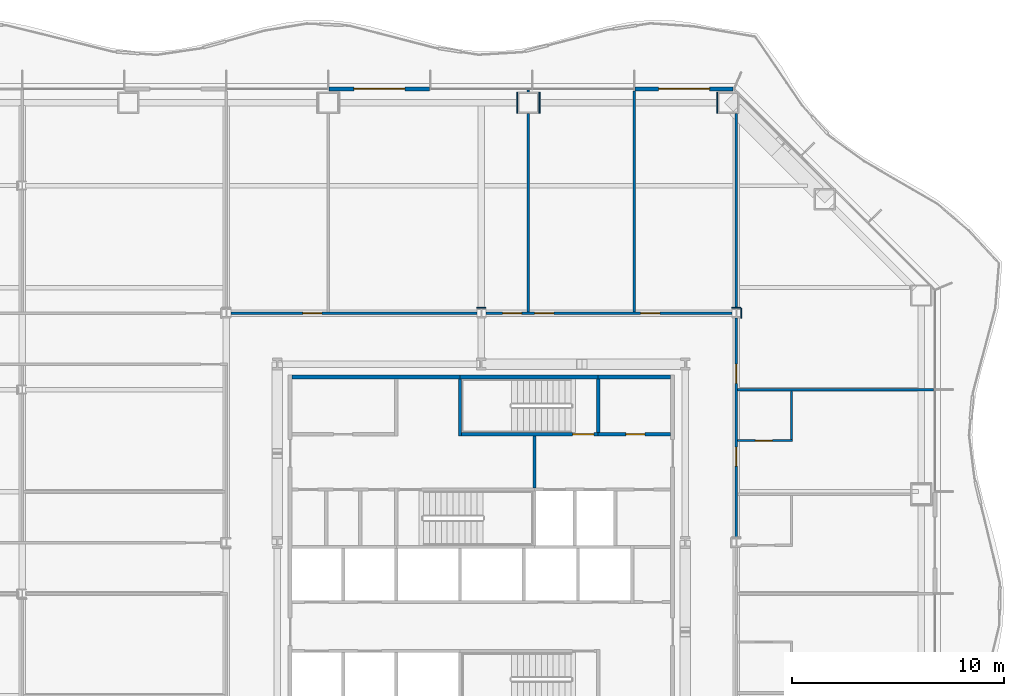
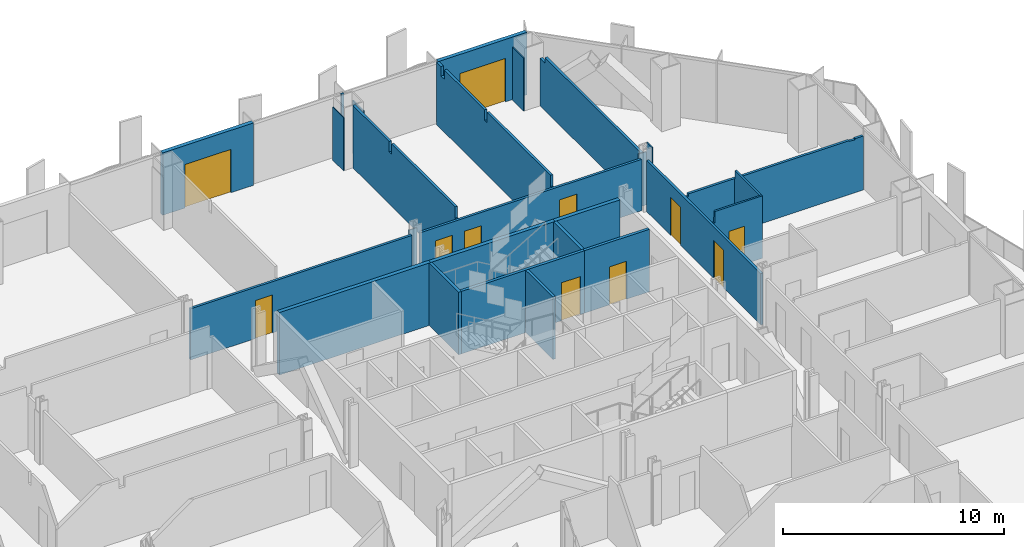
# One storey, part 13 of 21: 26 walls, 11 doors, 11 openings.
"""IFC4 building model written with IfcOpenShell, lengths in metres."""

from ifc_helpers import new_model, si_unit, direction, frame, frame_2d, origin, place, context, subcontext, project, spatial, polyline, rectangle, outline, extrude, material, layer, layer_set, type_object, element, fill, save


model = new_model("IFC4")

# Units and contexts
model_context = context("Model", 3, precision=1e-05, world=origin(), true_north=direction((0.0, 1.0)))
body_context = subcontext(model_context, "Body", "Model", "MODEL_VIEW")
ifc_project = project(units=[si_unit("LENGTHUNIT", "METRE"), si_unit("AREAUNIT", "SQUARE_METRE"), si_unit("VOLUMEUNIT", "CUBIC_METRE"), si_unit("PLANEANGLEUNIT", "RADIAN"), si_unit("MASSUNIT", "GRAM", prefix="KILO")], contexts=[model_context])

# Site, building, storey
site_placement = place(None, origin())
site = spatial("IfcSite", under=ifc_project, at=site_placement, CompositionType="ELEMENT")
building_placement = place(site_placement, origin())
building = spatial("IfcBuilding", under=site, at=building_placement, Name="Cairn Pilgrim Tower", CompositionType="ELEMENT")
storey_placement = place(building_placement, frame((0.0, 0.0, 47.39990234375)))
storey = spatial("IfcBuildingStorey", under=building, at=storey_placement, Name="L09", CompositionType="ELEMENT", Elevation=47.39990234375)

# Wall, opening, door
ifc_material_1 = material(Name="Bronze anodised aluminium insulated sandwich panel with mineral wool fill", Category="aluminium")
ifc_layer_1 = layer(ifc_material_1, 0.199951171875)
ifc_layer_set_1 = layer_set([ifc_layer_1], Name="BRONZE INFILL FRAME WALL 200")
wall_type_1 = type_object("IfcWallType", Name="BRONZE INFILL FRAME WALL 200", PredefinedType="NOTDEFINED", material=ifc_layer_set_1)
wall_1_placement = place(storey_placement, frame((19.056396484375, 23.75, 0.0), z_axis=(0.0, 0.0, 1.0), x_axis=(-1.0, 0.0, 0.0)))
wall_1 = element("IfcWall", 1, at=wall_1_placement, inside=storey, type_object=wall_type_1, Name="Bronze infill frame wall IW-N1", PredefinedType="NOTDEFINED", context=body_context, shape_type="SweptSolid", body=[
    extrude(rectangle(XDim=4.62646484375, YDim=0.199951171875, at=frame_2d((2.313232421875, 0.0))), origin(), (0.0, 0.0, 1.0), 3.4501953125),
])
opening_1_placement = place(wall_1_placement, frame((1.108154296875, 0.0, 0.0)))
opening_1 = element("IfcOpeningElement", 2, at=opening_1_placement, cuts=wall_1, Name="Opening 0920B", PredefinedType="OPENING", context=body_context, shape_type="SweptSolid", body=[
    extrude(rectangle(XDim=2.39990234375, YDim=2.39990234375, at=frame_2d((1.199951171875, 1.199951171875))), frame((0.0, 0.10986328125, 0.0), z_axis=(0.0, -1.0, 0.0), x_axis=(1.0, 0.0, 0.0)), (0.0, 0.0, 1.0), 0.219970703125),
])
ifc_material_2 = material(Name="Bronze anodised aluminium frame with tinted low-E glass", Category="aluminium")
door_type_1 = type_object("IfcDoorType", Name="BALCONY SLIDING DOOR 2400x2400", OperationType="DOUBLE_DOOR_SLIDING", PredefinedType="DOOR", material=ifc_material_2)
door_1_placement = place(opening_1_placement, origin())
door_1 = element("IfcDoor", 3, at=door_1_placement, inside=storey, type_object=door_type_1, Name="Balcony sliding door 0920B", OperationType="SINGLE_SWING_LEFT", OverallHeight=2.39990234375, OverallWidth=2.39990234375, PredefinedType="DOOR", context=body_context, shape_type="SweptSolid", body=[
    extrude(rectangle(XDim=2.39990234375, YDim=2.39990234375, at=frame_2d((1.199951171875, 1.199951171875))), frame((0.0, 0.02490234375, 0.0), z_axis=(0.0, -1.0, 0.0), x_axis=(1.0, 0.0, 0.0)), (0.0, 0.0, 1.0), 0.050048828125),
])
fill(opening_1, door_1)

wall_2_placement = place(storey_placement, frame((4.77001953125, 23.75, 0.0), z_axis=(0.0, 0.0, 1.0), x_axis=(-1.0, 0.0, 0.0)))
wall_2 = element("IfcWall", 4, at=wall_2_placement, inside=storey, type_object=wall_type_1, Name="Bronze infill frame wall IW-N4", PredefinedType="NOTDEFINED", context=body_context, shape_type="SweptSolid", body=[
    extrude(rectangle(XDim=4.739990234375, YDim=0.199951171875, at=frame_2d((2.3701171875, 0.0))), origin(), (0.0, 0.0, 1.0), 3.4501953125),
])
opening_2_placement = place(wall_2_placement, frame((1.169921875, 0.0, 0.0)))
opening_2 = element("IfcOpeningElement", 5, at=opening_2_placement, cuts=wall_2, Name="Opening 0918B", PredefinedType="OPENING", context=body_context, shape_type="SweptSolid", body=[
    extrude(rectangle(XDim=2.39990234375, YDim=2.39990234375, at=frame_2d((1.199951171875, 1.199951171875))), frame((0.0, 0.10986328125, 0.0), z_axis=(0.0, -1.0, 0.0), x_axis=(1.0, 0.0, 0.0)), (0.0, 0.0, 1.0), 0.219970703125),
])
door_2_placement = place(opening_2_placement, origin())
door_2 = element("IfcDoor", 6, at=door_2_placement, inside=storey, type_object=door_type_1, Name="Balcony sliding door 0918B", OperationType="SINGLE_SWING_LEFT", OverallHeight=2.39990234375, OverallWidth=2.39990234375, PredefinedType="DOOR", context=body_context, shape_type="SweptSolid", body=[
    extrude(rectangle(XDim=2.39990234375, YDim=2.39990234375, at=frame_2d((1.199951171875, 1.199951171875))), frame((0.0, 0.02490234375, 0.0), z_axis=(0.0, -1.0, 0.0), x_axis=(1.0, 0.0, 0.0)), (0.0, 0.0, 1.0), 0.050048828125),
])
fill(opening_2, door_2)

# Walls
ifc_material_3 = material(Name="Concrete C32/40", Category="concrete")
ifc_layer_2 = layer(ifc_material_3, 0.199951171875)
ifc_layer_set_2 = layer_set([ifc_layer_2], Name="CORE OUTER WALL 200 EI 120")
wall_type_2 = type_object("IfcWallType", Name="CORE OUTER WALL 200 EI 120", PredefinedType="SOLIDWALL", material=ifc_layer_set_2)
wall_3_placement = place(storey_placement, frame((-1.699951171875, 10.199951171875, 0.0), z_axis=(0.0, 0.0, 1.0), x_axis=(1.0, 0.0, 0.0)))
element("IfcWall", 7, at=wall_3_placement, inside=storey, type_object=wall_type_2, Name="CW:L09:H11-1", PredefinedType="SOLIDWALL", context=body_context, shape_type="SweptSolid", body=[
    extrude(rectangle(XDim=7.89990234375, YDim=0.199951171875, at=frame_2d((3.949951171875, 0.0))), origin(), (0.0, 0.0, 1.0), 3.4501953125),
])
wall_4_placement = place(storey_placement, frame((12.699951171875, 10.199951171875, 0.0), z_axis=(0.0, 0.0, 1.0), x_axis=(1.0, 0.0, 0.0)))
element("IfcWall", 8, at=wall_4_placement, inside=storey, type_object=wall_type_2, Name="CW:L09:H11-3", PredefinedType="SOLIDWALL", context=body_context, shape_type="SweptSolid", body=[
    extrude(rectangle(XDim=3.400146484375, YDim=0.199951171875, at=frame_2d((1.7001953125, 0.0))), origin(), (0.0, 0.0, 1.0), 3.4501953125),
])

# Wall, opening, door
ifc_layer_3 = layer(ifc_material_3, 0.14990234375)
ifc_layer_set_3 = layer_set([ifc_layer_3], Name="CORE SHAFT WALL 150 EI 120")
wall_type_3 = type_object("IfcWallType", Name="CORE SHAFT WALL 150 EI 120", PredefinedType="SOLIDWALL", material=ifc_layer_set_3)
wall_5_placement = place(storey_placement, frame((12.699951171875, 7.5, 0.0), z_axis=(0.0, 0.0, 1.0), x_axis=(1.0, 0.0, 0.0)))
wall_5 = element("IfcWall", 9, at=wall_5_placement, inside=storey, type_object=wall_type_3, Name="CW:L09:H10-2", PredefinedType="SOLIDWALL", context=body_context, shape_type="SweptSolid", body=[
    extrude(rectangle(XDim=3.400146484375, YDim=0.14990234375, at=frame_2d((1.7001953125, 0.0))), origin(), (0.0, 0.0, 1.0), 3.4501953125),
])
opening_3_placement = place(wall_5_placement, frame((1.300048828125, 0.0, 0.0)))
opening_3 = element("IfcOpeningElement", 10, at=opening_3_placement, cuts=wall_5, Name="Opening RD-R4E", PredefinedType="OPENING", context=body_context, shape_type="SweptSolid", body=[
    extrude(rectangle(XDim=0.89990234375, YDim=2.10009765625, at=frame_2d((0.449951171875, 1.050048828125))), frame((0.0, 0.0849609375, 0.0), z_axis=(0.0, -1.0, 0.0), x_axis=(1.0, 0.0, 0.0)), (0.0, 0.0, 1.0), 0.169921875),
])
ifc_material_4 = material(Name="Painted steel", Category="steel")
door_type_2 = type_object("IfcDoorType", Name="SERVICE ROOM DOOR 900x2100", OperationType="SINGLE_SWING_LEFT", PredefinedType="DOOR", material=ifc_material_4)
door_3_placement = place(opening_3_placement, origin())
door_3 = element("IfcDoor", 11, at=door_3_placement, inside=storey, type_object=door_type_2, Name="RD-R4E", OperationType="SINGLE_SWING_LEFT", OverallHeight=2.10009765625, OverallWidth=0.89990234375, PredefinedType="DOOR", context=body_context, shape_type="SweptSolid", body=[
    extrude(rectangle(XDim=0.89990234375, YDim=2.10009765625, at=frame_2d((0.449951171875, 1.050048828125))), frame((0.0, 0.02490234375, 0.0), z_axis=(0.0, -1.0, 0.0), x_axis=(1.0, 0.0, 0.0)), (0.0, 0.0, 1.0), 0.050048828125),
])
fill(opening_3, door_3)

# Wall
wall_6_placement = place(storey_placement, frame((9.699951171875, 4.97509765625, 0.0), z_axis=(0.0, 0.0, 1.0), x_axis=(0.0, 1.0, 0.0)))
element("IfcWall", 12, at=wall_6_placement, inside=storey, type_object=wall_type_3, Name="CW:L09:V26", PredefinedType="SOLIDWALL", context=body_context, shape_type="SweptSolid", body=[
    extrude(rectangle(XDim=2.449951171875, YDim=0.14990234375, at=frame_2d((1.22509765625, 0.0))), origin(), (0.0, 0.0, 1.0), 3.4501953125),
])

# Wall, opening, door
ifc_material_5 = material(Name="Gypsum partition")
ifc_layer_4 = layer(ifc_material_5, 0.10009765625)
ifc_layer_set_4 = layer_set([ifc_layer_4], Name="PARTITION 100 DRYWALL")
wall_type_4 = type_object("IfcWallType", Name="PARTITION 100 DRYWALL", PredefinedType="PARTITIONING", material=ifc_layer_set_4)
wall_7_placement = place(storey_placement, frame((19.262451171875, 7.199951171875, 0.0), z_axis=(0.0, 0.0, 1.0), x_axis=(1.0, 0.0, 0.0)))
wall_7 = element("IfcWall", 13, at=wall_7_placement, inside=storey, type_object=wall_type_4, Name="PARTITION W069", PredefinedType="PARTITIONING", context=body_context, shape_type="SweptSolid", body=[
    extrude(outline(polyline([(0.0, 0.0), (2.587646484375, 0.0), (2.58740234375, 3.4501953125), (0.08740234375, 3.4501953125), (0.08544921875, 2.830078125), (0.0, 2.830078125), (0.0, 0.0)])), frame((0.0, 0.050048828125, 0.0), z_axis=(0.0, -1.0, 0.0), x_axis=(1.0, 0.0, 0.0)), (0.0, 0.0, 1.0), 0.10009765625),
])
opening_4_placement = place(wall_7_placement, frame((0.83740234375, 0.0, 0.0)))
opening_4 = element("IfcOpeningElement", 14, at=opening_4_placement, cuts=wall_7, Name="Opening 0925E", PredefinedType="OPENING", context=body_context, shape_type="SweptSolid", body=[
    extrude(rectangle(XDim=0.800048828125, YDim=2.10009765625, at=frame_2d((0.39990234375, 1.050048828125))), frame((0.0, 0.06005859375, 0.0), z_axis=(0.0, -1.0, 0.0), x_axis=(1.0, 0.0, 0.0)), (0.0, 0.0, 1.0), 0.1201171875),
])
ifc_material_6 = material(Name="Timber door leaf", Category="wood")
door_type_3 = type_object("IfcDoorType", Name="DOOR 800x2100", OperationType="NOTDEFINED", PredefinedType="DOOR", material=ifc_material_6)
door_4_placement = place(opening_4_placement, origin())
door_4 = element("IfcDoor", 15, at=door_4_placement, inside=storey, type_object=door_type_3, Name="DOOR 0925E", OperationType="SINGLE_SWING_RIGHT", OverallHeight=2.10009765625, OverallWidth=0.800048828125, PredefinedType="DOOR", context=body_context, shape_type="SweptSolid", body=[
    extrude(rectangle(XDim=0.800048828125, YDim=2.10009765625, at=frame_2d((0.39990234375, 1.050048828125))), frame((0.0, 0.02490234375, 0.0), z_axis=(0.0, -1.0, 0.0), x_axis=(1.0, 0.0, 0.0)), (0.0, 0.0, 1.0), 0.050048828125),
])
fill(opening_4, door_4)

# Wall
wall_8_placement = place(storey_placement, frame((21.800048828125, 7.25, 0.0), z_axis=(0.0, 0.0, 1.0), x_axis=(0.0, 1.0, 0.0)))
element("IfcWall", 16, at=wall_8_placement, inside=storey, type_object=wall_type_4, Name="PARTITION W070", PredefinedType="PARTITIONING", context=body_context, shape_type="SweptSolid", body=[
    extrude(outline(polyline([(0.0, 0.0), (2.28759765625, 0.0), (2.28759765625, 2.97998046875), (2.2548828125, 2.97998046875), (2.2529296875, 3.4501953125), (0.0, 3.4501953125), (0.0, 0.0)])), frame((0.0, 0.050048828125, 0.0), z_axis=(0.0, -1.0, 0.0), x_axis=(1.0, 0.0, 0.0)), (0.0, 0.0, 1.0), 0.10009765625),
])

# Wall, openings, doors
ifc_layer_5 = layer(ifc_material_5, 0.125)
ifc_layer_set_5 = layer_set([ifc_layer_5], Name="PARTITION 125 DRYWALL EI 60")
wall_type_5 = type_object("IfcWallType", Name="PARTITION 125 DRYWALL EI 60", PredefinedType="PARTITIONING", material=ifc_layer_set_5)
wall_9_placement = place(storey_placement, frame((19.199951171875, 2.636962890625, 0.0), z_axis=(0.0, 0.0, 1.0), x_axis=(0.0, 1.0, 0.0)))
wall_9 = element("IfcWall", 17, at=wall_9_placement, inside=storey, type_object=wall_type_5, Name="PARTITION W063", PredefinedType="PARTITIONING", context=body_context, shape_type="SweptSolid", body=[
    extrude(rectangle(XDim=10.325927734375, YDim=0.125, at=frame_2d((5.1630859375, 0.0))), origin(), (0.0, 0.0, 1.0), 2.830078125),
])
opening_5_placement = place(wall_9_placement, frame((3.363037109375, 0.0, 0.0)))
opening_5 = element("IfcOpeningElement", 18, at=opening_5_placement, cuts=wall_9, Name="Opening 0925", PredefinedType="OPENING", context=body_context, shape_type="SweptSolid", body=[
    extrude(rectangle(XDim=0.89990234375, YDim=2.10009765625, at=frame_2d((0.449951171875, 1.050048828125))), frame((0.0, 0.072509765625, 0.0), z_axis=(0.0, -1.0, 0.0), x_axis=(1.0, 0.0, 0.0)), (0.0, 0.0, 1.0), 0.14501953125),
])
opening_6_placement = place(wall_9_placement, frame((7.262939453125, 0.0, 0.0)))
opening_6 = element("IfcOpeningElement", 19, at=opening_6_placement, cuts=wall_9, Name="Opening 0926", PredefinedType="OPENING", context=body_context, shape_type="SweptSolid", body=[
    extrude(rectangle(XDim=0.89990234375, YDim=2.10009765625, at=frame_2d((0.449951171875, 1.050048828125))), frame((0.0, 0.072509765625, 0.0), z_axis=(0.0, -1.0, 0.0), x_axis=(1.0, 0.0, 0.0)), (0.0, 0.0, 1.0), 0.14501953125),
])
ifc_material_7 = material(Name="Steel-faced fire door leaf", Category="steel")
door_type_4 = type_object("IfcDoorType", Name="FIRE DOOR 900x2100 FD30S", OperationType="NOTDEFINED", PredefinedType="DOOR", material=ifc_material_7)
door_5_placement = place(opening_5_placement, frame((0.89990234375, 0.0, 0.0), z_axis=(0.0, 0.0, 1.0), x_axis=(-1.0, 0.0, 0.0)))
door_5 = element("IfcDoor", 20, at=door_5_placement, inside=storey, type_object=door_type_4, Name="DOOR 0925", OperationType="SINGLE_SWING_LEFT", OverallHeight=2.10009765625, OverallWidth=0.89990234375, PredefinedType="DOOR", context=body_context, shape_type="SweptSolid", body=[
    extrude(rectangle(XDim=0.89990234375, YDim=2.10009765625, at=frame_2d((0.449951171875, 1.050048828125))), frame((0.0, 0.02490234375, 0.0), z_axis=(0.0, -1.0, 0.0), x_axis=(1.0, 0.0, 0.0)), (0.0, 0.0, 1.0), 0.050048828125),
])
fill(opening_5, door_5)
door_6_placement = place(opening_6_placement, frame((0.89990234375, 0.0, 0.0), z_axis=(0.0, 0.0, 1.0), x_axis=(-1.0, 0.0, 0.0)))
door_6 = element("IfcDoor", 21, at=door_6_placement, inside=storey, type_object=door_type_4, Name="DOOR 0926", OperationType="SINGLE_SWING_LEFT", OverallHeight=2.10009765625, OverallWidth=0.89990234375, PredefinedType="DOOR", context=body_context, shape_type="SweptSolid", body=[
    extrude(rectangle(XDim=0.89990234375, YDim=2.10009765625, at=frame_2d((0.449951171875, 1.050048828125))), frame((0.0, 0.02490234375, 0.0), z_axis=(0.0, -1.0, 0.0), x_axis=(1.0, 0.0, 0.0)), (0.0, 0.0, 1.0), 0.050048828125),
])
fill(opening_6, door_6)

# Wall
wall_10_placement = place(storey_placement, frame((19.262451171875, 9.60009765625, 0.0), z_axis=(0.0, 0.0, 1.0), x_axis=(1.0, 0.0, 0.0)))
element("IfcWall", 22, at=wall_10_placement, inside=storey, type_object=wall_type_5, Name="PARTITION W072", PredefinedType="PARTITIONING", context=body_context, shape_type="SweptSolid", body=[
    extrude(outline(polyline([(0.0, 0.0), (9.2275390625, 0.0), (9.2275390625, 2.97998046875), (8.78759765625, 2.97998046875), (8.785400390625, 2.93017578125), (8.487548828125, 2.93017578125), (8.485595703125, 2.97998046875), (0.08740234375, 2.97998046875), (0.08544921875, 2.830078125), (0.0, 2.830078125), (0.0, 0.0)])), frame((0.0, 0.0625, 0.0), z_axis=(0.0, -1.0, 0.0), x_axis=(1.0, 0.0, 0.0)), (0.0, 0.0, 1.0), 0.125),
])

# Wall, opening, door
wall_11_placement = place(storey_placement, frame((-4.587890625, 13.199951171875, 0.0), z_axis=(0.0, 0.0, 1.0), x_axis=(1.0, 0.0, 0.0)))
wall_11 = element("IfcWall", 23, at=wall_11_placement, inside=storey, type_object=wall_type_5, Name="PARTITION W076", PredefinedType="PARTITIONING", context=body_context, shape_type="SweptSolid", body=[
    extrude(rectangle(XDim=11.575927734375, YDim=0.125, at=frame_2d((5.7880859375, 0.0))), origin(), (0.0, 0.0, 1.0), 2.830078125),
])
opening_7_placement = place(wall_11_placement, frame((3.387939453125, 0.0, 0.0)))
opening_7 = element("IfcOpeningElement", 24, at=opening_7_placement, cuts=wall_11, Name="Opening 0917", PredefinedType="OPENING", context=body_context, shape_type="SweptSolid", body=[
    extrude(rectangle(XDim=0.89990234375, YDim=2.10009765625, at=frame_2d((0.449951171875, 1.050048828125))), frame((0.0, 0.072509765625, 0.0), z_axis=(0.0, -1.0, 0.0), x_axis=(1.0, 0.0, 0.0)), (0.0, 0.0, 1.0), 0.14501953125),
])
door_7_placement = place(opening_7_placement, origin())
door_7 = element("IfcDoor", 25, at=door_7_placement, inside=storey, type_object=door_type_4, Name="DOOR 0917", OperationType="SINGLE_SWING_RIGHT", OverallHeight=2.10009765625, OverallWidth=0.89990234375, PredefinedType="DOOR", context=body_context, shape_type="SweptSolid", body=[
    extrude(rectangle(XDim=0.89990234375, YDim=2.10009765625, at=frame_2d((0.449951171875, 1.050048828125))), frame((0.0, 0.02490234375, 0.0), z_axis=(0.0, -1.0, 0.0), x_axis=(1.0, 0.0, 0.0)), (0.0, 0.0, 1.0), 0.050048828125),
])
fill(opening_7, door_7)

# Wall, openings, doors
wall_12_placement = place(storey_placement, frame((7.412109375, 13.199951171875, 0.0), z_axis=(0.0, 0.0, 1.0), x_axis=(1.0, 0.0, 0.0)))
wall_12 = element("IfcWall", 26, at=wall_12_placement, inside=storey, type_object=wall_type_5, Name="PARTITION W077", PredefinedType="PARTITIONING", context=body_context, shape_type="SweptSolid", body=[
    extrude(rectangle(XDim=11.575927734375, YDim=0.125, at=frame_2d((5.7880859375, 0.0))), origin(), (0.0, 0.0, 1.0), 2.830078125),
])
opening_8_placement = place(wall_12_placement, frame((0.7880859375, 0.0, 0.0)))
opening_8 = element("IfcOpeningElement", 27, at=opening_8_placement, cuts=wall_12, Name="Opening 0918", PredefinedType="OPENING", context=body_context, shape_type="SweptSolid", body=[
    extrude(rectangle(XDim=0.89990234375, YDim=2.10009765625, at=frame_2d((0.449951171875, 1.050048828125))), frame((0.0, 0.072509765625, 0.0), z_axis=(0.0, -1.0, 0.0), x_axis=(1.0, 0.0, 0.0)), (0.0, 0.0, 1.0), 0.14501953125),
])
opening_9_placement = place(wall_12_placement, frame((2.302001953125, 0.0, 0.0)))
opening_9 = element("IfcOpeningElement", 28, at=opening_9_placement, cuts=wall_12, Name="Opening 0919", PredefinedType="OPENING", context=body_context, shape_type="SweptSolid", body=[
    extrude(rectangle(XDim=0.89990234375, YDim=2.10009765625, at=frame_2d((0.449951171875, 1.050048828125))), frame((0.0, 0.072509765625, 0.0), z_axis=(0.0, -1.0, 0.0), x_axis=(1.0, 0.0, 0.0)), (0.0, 0.0, 1.0), 0.14501953125),
])
opening_10_placement = place(wall_12_placement, frame((7.2880859375, 0.0, 0.0)))
opening_10 = element("IfcOpeningElement", 29, at=opening_10_placement, cuts=wall_12, Name="Opening 0920", PredefinedType="OPENING", context=body_context, shape_type="SweptSolid", body=[
    extrude(rectangle(XDim=0.89990234375, YDim=2.10009765625, at=frame_2d((0.449951171875, 1.050048828125))), frame((0.0, 0.072509765625, 0.0), z_axis=(0.0, -1.0, 0.0), x_axis=(1.0, 0.0, 0.0)), (0.0, 0.0, 1.0), 0.14501953125),
])
door_8_placement = place(opening_8_placement, origin())
door_8 = element("IfcDoor", 30, at=door_8_placement, inside=storey, type_object=door_type_4, Name="DOOR 0918", OperationType="SINGLE_SWING_LEFT", OverallHeight=2.10009765625, OverallWidth=0.89990234375, PredefinedType="DOOR", context=body_context, shape_type="SweptSolid", body=[
    extrude(rectangle(XDim=0.89990234375, YDim=2.10009765625, at=frame_2d((0.449951171875, 1.050048828125))), frame((0.0, 0.02490234375, 0.0), z_axis=(0.0, -1.0, 0.0), x_axis=(1.0, 0.0, 0.0)), (0.0, 0.0, 1.0), 0.050048828125),
])
fill(opening_8, door_8)
door_9_placement = place(opening_9_placement, origin())
door_9 = element("IfcDoor", 31, at=door_9_placement, inside=storey, type_object=door_type_4, Name="DOOR 0919", OperationType="SINGLE_SWING_RIGHT", OverallHeight=2.10009765625, OverallWidth=0.89990234375, PredefinedType="DOOR", context=body_context, shape_type="SweptSolid", body=[
    extrude(rectangle(XDim=0.89990234375, YDim=2.10009765625, at=frame_2d((0.449951171875, 1.050048828125))), frame((0.0, 0.02490234375, 0.0), z_axis=(0.0, -1.0, 0.0), x_axis=(1.0, 0.0, 0.0)), (0.0, 0.0, 1.0), 0.050048828125),
])
fill(opening_9, door_9)
door_10_placement = place(opening_10_placement, origin())
door_10 = element("IfcDoor", 32, at=door_10_placement, inside=storey, type_object=door_type_4, Name="DOOR 0920", OperationType="SINGLE_SWING_LEFT", OverallHeight=2.10009765625, OverallWidth=0.89990234375, PredefinedType="DOOR", context=body_context, shape_type="SweptSolid", body=[
    extrude(rectangle(XDim=0.89990234375, YDim=2.10009765625, at=frame_2d((0.449951171875, 1.050048828125))), frame((0.0, 0.02490234375, 0.0), z_axis=(0.0, -1.0, 0.0), x_axis=(1.0, 0.0, 0.0)), (0.0, 0.0, 1.0), 0.050048828125),
])
fill(opening_10, door_10)

# Walls
wall_13_placement = place(storey_placement, frame((9.4140625, 13.262451171875, 0.0), z_axis=(0.0, 0.0, 1.0), x_axis=(0.0, 1.0, 0.0)))
element("IfcWall", 33, at=wall_13_placement, inside=storey, type_object=wall_type_5, Name="PARTITION W081", PredefinedType="PARTITIONING", context=body_context, shape_type="SweptSolid", body=[
    extrude(outline(polyline([(0.0, 0.0), (9.337646484375, 0.0), (9.33740234375, 3.4501953125), (6.04248046875, 3.4501953125), (6.04052734375, 2.880126953125), (5.83251953125, 2.880126953125), (5.83056640625, 3.4501953125), (0.08740234375, 3.4501953125), (0.08544921875, 2.830078125), (0.0, 2.830078125), (0.0, 0.0)])), frame((0.0, 0.0625, 0.0), z_axis=(0.0, -1.0, 0.0), x_axis=(1.0, 0.0, 0.0)), (0.0, 0.0, 1.0), 0.125),
])
wall_14_placement = place(storey_placement, frame((14.39990234375, 13.262451171875, 0.0), z_axis=(0.0, 0.0, 1.0), x_axis=(0.0, 1.0, 0.0)))
element("IfcWall", 34, at=wall_14_placement, inside=storey, type_object=wall_type_5, Name="PARTITION W082", PredefinedType="PARTITIONING", context=body_context, shape_type="SweptSolid", body=[
    extrude(outline(polyline([(0.0, 0.0), (10.387451171875, 0.0), (10.387451171875, 3.4501953125), (9.987548828125, 3.4501953125), (9.985595703125, 2.93017578125), (9.6875, 2.93017578125), (9.685546875, 3.4501953125), (6.04248046875, 3.4501953125), (6.04052734375, 2.880126953125), (5.83251953125, 2.880126953125), (5.83056640625, 3.4501953125), (0.08740234375, 3.4501953125), (0.08544921875, 2.830078125), (0.0, 2.830078125), (0.0, 0.0)])), frame((0.0, 0.0625, 0.0), z_axis=(0.0, -1.0, 0.0), x_axis=(1.0, 0.0, 0.0)), (0.0, 0.0, 1.0), 0.125),
])
wall_15_placement = place(storey_placement, frame((19.199951171875, 13.43701171875, 0.0), z_axis=(0.0, 0.0, 1.0), x_axis=(0.0, 1.0, 0.0)))
element("IfcWall", 35, at=wall_15_placement, inside=storey, type_object=wall_type_5, Name="PARTITION W084", PredefinedType="PARTITIONING", context=body_context, shape_type="SweptSolid", body=[
    extrude(outline(polyline([(0.0, 0.0), (9.1630859375, 0.0), (9.1630859375, 2.630126953125), (8.732666015625, 2.630126953125), (8.730712890625, 2.93017578125), (0.0, 2.93017578125), (0.0, 0.0)])), frame((0.0, 0.0625, 0.0), z_axis=(0.0, -1.0, 0.0), x_axis=(1.0, 0.0, 0.0)), (0.0, 0.0, 1.0), 0.125),
])
wall_16_placement = place(storey_placement, frame((9.4140625, 23.60009765625, 0.0), z_axis=(0.0, 0.0, 1.0), x_axis=(0.0, 1.0, 0.0)))
element("IfcWall", 36, at=wall_16_placement, inside=storey, type_object=wall_type_5, Name="PARTITION W088", PredefinedType="PARTITIONING", context=body_context, shape_type="SweptSolid", body=[
    extrude(rectangle(XDim=0.102783203125, YDim=0.125, at=frame_2d((0.05126953125, 0.0))), origin(), (0.0, 0.0, 1.0), 3.4501953125),
])
ifc_layer_6 = layer(ifc_material_5, 0.050048828125)
ifc_layer_set_6 = layer_set([ifc_layer_6], Name="PARTITION 50 DRYWALL EI 60")
wall_type_6 = type_object("IfcWallType", Name="PARTITION 50 DRYWALL EI 60", PredefinedType="PARTITIONING", material=ifc_layer_set_6)
wall_17_placement = place(storey_placement, frame((19.43701171875, 12.962890625, 0.0), z_axis=(0.0, 0.0, 1.0), x_axis=(0.0, 1.0, 0.0)))
element("IfcWall", 37, at=wall_17_placement, inside=storey, type_object=wall_type_6, Name="COLUMN CASING WC11", PredefinedType="PARTITIONING", context=body_context, shape_type="SweptSolid", body=[
    extrude(rectangle(XDim=0.47412109375, YDim=0.050048828125, at=frame_2d((0.237060546875, 0.0))), origin(), (0.0, 0.0, 1.0), 3.4501953125),
])
for number, where, z_axis, x_axis, name in (
    (38, (6.988037109375, 13.4619140625, 0.0), (0.0, 0.0, 1.0), (1.0, 0.0, 0.0), "COLUMN CASING WC32"),
    (39, (18.988037109375, 13.4619140625, 0.0), (0.0, 0.0, 1.0), (1.0, 0.0, 0.0), "COLUMN CASING WC33"),
):
    element("IfcWall", number, at=place(storey_placement, frame(where, z_axis=z_axis, x_axis=x_axis)), inside=storey, type_object=wall_type_6, Name=name, PredefinedType="PARTITIONING", context=body_context, shape_type="SweptSolid", body=[
        extrude(rectangle(XDim=0.424072265625, YDim=0.050048828125, at=frame_2d((0.2119140625, 0.0))), origin(), (0.0, 0.0, 1.0), 2.93017578125),
    ])
for number, where, z_axis, x_axis, name in (
    (40, (18.30224609375, 22.60009765625, 0.0), (0.0, 0.0, 1.0), (0.0, 1.0, 0.0), "COLUMN CASING WC34"),
    (41, (8.888671875, 22.60009765625, 0.0), (0.0, 0.0, 1.0), (0.0, 1.0, 0.0), "COLUMN CASING WC39"),
    (42, (9.938720703125, 22.60009765625, 0.0), (0.0, 0.0, 1.0), (0.0, 1.0, 0.0), "COLUMN CASING WC40"),
):
    element("IfcWall", number, at=place(storey_placement, frame(where, z_axis=z_axis, x_axis=x_axis)), inside=storey, type_object=wall_type_6, Name=name, PredefinedType="PARTITIONING", context=body_context, shape_type="SweptSolid", body=[
        extrude(rectangle(XDim=1.0, YDim=0.050048828125, at=frame_2d((0.5, 0.0))), origin(), (0.0, 0.0, 1.0), 2.93017578125),
    ])

# Wall, opening, door
ifc_material_8 = material(Name="Concrete C35/45", Category="concrete")
ifc_layer_7 = layer(ifc_material_8, 0.14990234375)
ifc_layer_set_7 = layer_set([ifc_layer_7], Name="STAIR SHAFT WALL 150 EI 120")
wall_type_7 = type_object("IfcWallType", Name="STAIR SHAFT WALL 150 EI 120", PredefinedType="SOLIDWALL", material=ifc_layer_set_7)
wall_18_placement = place(storey_placement, frame((6.27490234375, 7.5, 0.0), z_axis=(0.0, 0.0, 1.0), x_axis=(1.0, 0.0, 0.0)))
wall_18 = element("IfcWall", 43, at=wall_18_placement, inside=storey, type_object=wall_type_7, Name="CW:L09:H10-1", PredefinedType="SOLIDWALL", context=body_context, shape_type="SweptSolid", body=[
    extrude(rectangle(XDim=6.425048828125, YDim=0.14990234375, at=frame_2d((3.21240234375, 0.0))), origin(), (0.0, 0.0, 1.0), 3.4501953125),
])
opening_11_placement = place(wall_18_placement, frame((5.22509765625, 0.0, 0.0)))
opening_11 = element("IfcOpeningElement", 44, at=opening_11_placement, cuts=wall_18, Name="Opening SD-C", PredefinedType="OPENING", context=body_context, shape_type="SweptSolid", body=[
    extrude(rectangle(XDim=1.0, YDim=2.10009765625, at=frame_2d((0.5, 1.050048828125))), frame((0.0, 0.0849609375, 0.0), z_axis=(0.0, -1.0, 0.0), x_axis=(1.0, 0.0, 0.0)), (0.0, 0.0, 1.0), 0.169921875),
])
door_type_5 = type_object("IfcDoorType", Name="STAIR DOOR FD60S 1000x2100", OperationType="SINGLE_SWING_LEFT", PredefinedType="DOOR", material=ifc_material_4)
door_11_placement = place(opening_11_placement, origin())
door_11 = element("IfcDoor", 45, at=door_11_placement, inside=storey, type_object=door_type_5, Name="SD-C", OperationType="SINGLE_SWING_RIGHT", OverallHeight=2.10009765625, OverallWidth=1.0, PredefinedType="DOOR", context=body_context, shape_type="SweptSolid", body=[
    extrude(rectangle(XDim=1.0, YDim=2.10009765625, at=frame_2d((0.5, 1.050048828125))), frame((0.0, 0.02490234375, 0.0), z_axis=(0.0, -1.0, 0.0), x_axis=(1.0, 0.0, 0.0)), (0.0, 0.0, 1.0), 0.050048828125),
])
fill(opening_11, door_11)

# Walls
wall_19_placement = place(storey_placement, frame((6.199951171875, 7.425048828125, 0.0), z_axis=(0.0, 0.0, 1.0), x_axis=(0.0, 1.0, 0.0)))
element("IfcWall", 46, at=wall_19_placement, inside=storey, type_object=wall_type_7, Name="CW:L09:V23", PredefinedType="SOLIDWALL", context=body_context, shape_type="SweptSolid", body=[
    extrude(rectangle(XDim=2.675048828125, YDim=0.14990234375, at=frame_2d((1.33740234375, 0.0))), origin(), (0.0, 0.0, 1.0), 3.4501953125),
])
wall_20_placement = place(storey_placement, frame((12.699951171875, 7.574951171875, 0.0), z_axis=(0.0, 0.0, 1.0), x_axis=(0.0, 1.0, 0.0)))
element("IfcWall", 47, at=wall_20_placement, inside=storey, type_object=wall_type_7, Name="CW:L09:V30", PredefinedType="SOLIDWALL", context=body_context, shape_type="SweptSolid", body=[
    extrude(rectangle(XDim=2.525146484375, YDim=0.14990234375, at=frame_2d((1.2626953125, 0.0))), origin(), (0.0, 0.0, 1.0), 3.4501953125),
])
ifc_layer_8 = layer(ifc_material_8, 0.199951171875)
ifc_layer_set_8 = layer_set([ifc_layer_8], Name="STAIR SHAFT WALL 200 EI 120")
wall_type_8 = type_object("IfcWallType", Name="STAIR SHAFT WALL 200 EI 120", PredefinedType="SOLIDWALL", material=ifc_layer_set_8)
wall_21_placement = place(storey_placement, frame((6.199951171875, 10.199951171875, 0.0), z_axis=(0.0, 0.0, 1.0), x_axis=(1.0, 0.0, 0.0)))
element("IfcWall", 48, at=wall_21_placement, inside=storey, type_object=wall_type_8, Name="CW:L09:H11-2", PredefinedType="SOLIDWALL", context=body_context, shape_type="SweptSolid", body=[
    extrude(rectangle(XDim=6.5, YDim=0.199951171875, at=frame_2d((3.25, 0.0))), origin(), (0.0, 0.0, 1.0), 3.4501953125),
])

save(model, "model.ifc")
